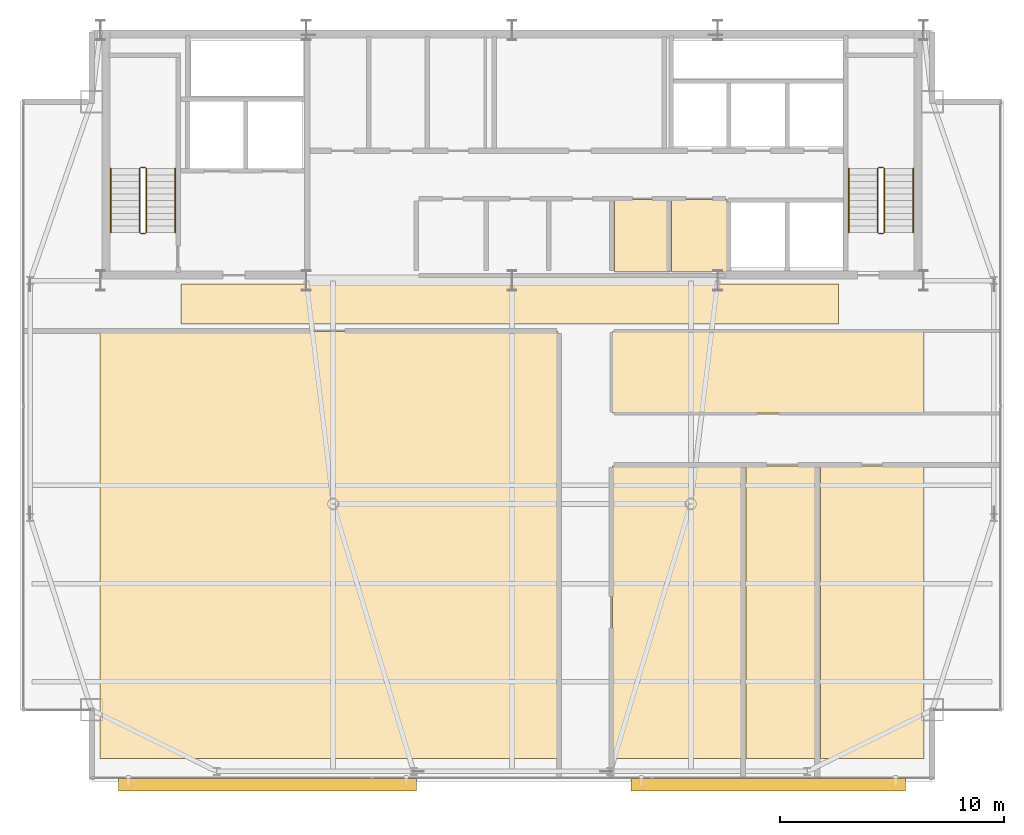
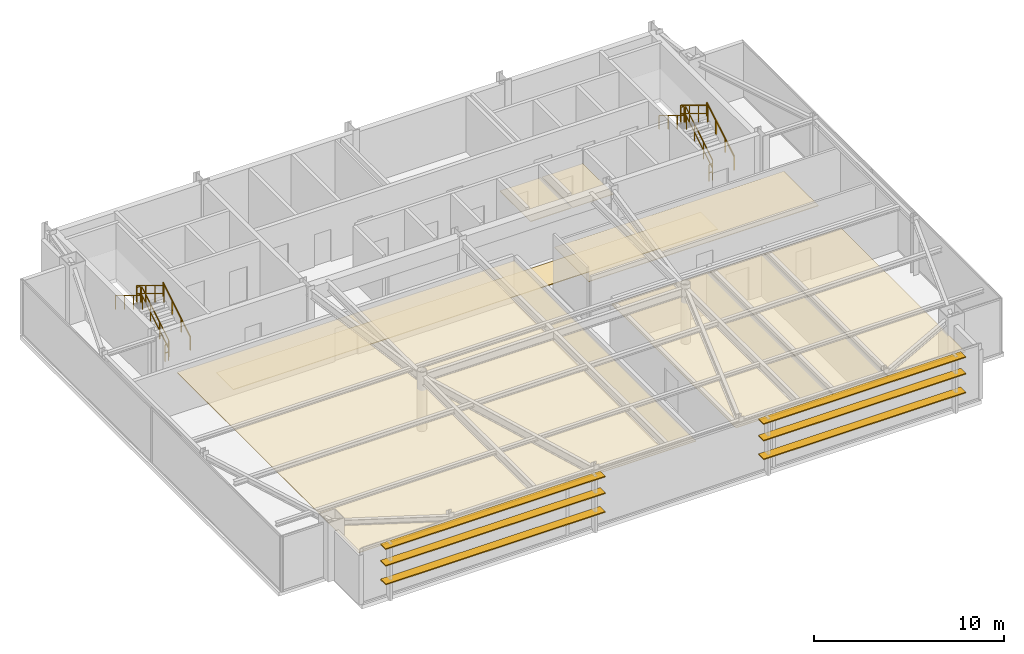
# One storey, part 24 of 24: 12 railings, 8 coverings, 6 shading devices.
"""IFC4 building model written with IfcOpenShell, lengths in metres."""

from ifc_helpers import new_model, si_unit, direction, frame, origin, origin_2d, place, context, subcontext, project, spatial, polyline, rectangle, outline, extrude, source, transform, mapped, material, layer, layer_set, type_object, type_shapes, element, save


model = new_model("IFC4")

# Units and contexts
model_context = context("Model", 3, precision=1e-05, world=origin(), true_north=direction((0.0, 1.0)))
body_context = subcontext(model_context, "Body", "Model", "MODEL_VIEW")
ifc_project = project(units=[si_unit("LENGTHUNIT", "METRE"), si_unit("AREAUNIT", "SQUARE_METRE"), si_unit("VOLUMEUNIT", "CUBIC_METRE"), si_unit("PLANEANGLEUNIT", "RADIAN"), si_unit("MASSUNIT", "GRAM", prefix="KILO")], contexts=[model_context])

# Site, building, storey
site_placement = place(None, origin())
site = spatial("IfcSite", under=ifc_project, at=site_placement, CompositionType="ELEMENT")
building_placement = place(site_placement, origin())
building = spatial("IfcBuilding", under=site, at=building_placement, Name="Varnel Quay Broadcast Tower", CompositionType="ELEMENT")
storey_placement = place(building_placement, frame((0.0, 0.0, 285.0)))
storey = spatial("IfcBuildingStorey", under=building, at=storey_placement, Name="L71", CompositionType="ELEMENT", Elevation=285.0)

# Coverings
ifc_material_1 = material(Name="Micro-Perforated Acoustic Ceiling Tile")
ifc_layer_1 = layer(ifc_material_1, 0.0400390625, Name="Micro-Perforated Acoustic Ceiling Tile")
ifc_layer_set_1 = layer_set([ifc_layer_1], Name="Micro-Perforated Acoustic Ceiling Tile")
covering_type_1 = type_object("IfcCoveringType", Name="Cov_AcousticCeiling", PredefinedType="CEILING", material=ifc_layer_set_1)
covering_1_placement = place(storey_placement, frame((0.0, 0.0, 2.580078125)))
element("IfcCovering", 1, at=covering_1_placement, inside=storey, type_object=covering_type_1, Name="L71 Cleaners' & Linen Store Acoustic Ceiling", PredefinedType="CEILING", context=body_context, shape_type="SweptSolid", body=[
    extrude(outline(polyline([(38.5849609375, 35.985107421875), (41.06494140625, 35.985107421875), (41.06494140625, 39.215087890625), (38.5849609375, 39.215087890625), (38.5849609375, 35.985107421875)])), origin(), (0.0, 0.0, 1.0), 0.0400390625),
])
covering_2_placement = place(storey_placement, frame((0.0, 0.0, 2.580078125)))
element("IfcCovering", 2, at=covering_2_placement, inside=storey, type_object=covering_type_1, Name="L71 Telecom IDF Closet Acoustic Ceiling", PredefinedType="CEILING", context=body_context, shape_type="SweptSolid", body=[
    extrude(outline(polyline([(41.135009765625, 35.985107421875), (43.614990234375, 35.985107421875), (43.614990234375, 39.215087890625), (41.135009765625, 39.215087890625), (41.135009765625, 35.985107421875)])), origin(), (0.0, 0.0, 1.0), 0.0400390625),
])
covering_3_placement = place(storey_placement, frame((0.0, 0.0, 2.580078125)))
element("IfcCovering", 3, at=covering_3_placement, inside=storey, type_object=covering_type_1, Name="L71 Podcast Recording Studio 1 Acoustic Ceiling", PredefinedType="CEILING", context=body_context, shape_type="SweptSolid", body=[
    extrude(outline(polyline([(15.5849609375, 14.22509765625), (36.06494140625, 14.22509765625), (36.06494140625, 33.31494140625), (15.5849609375, 33.31494140625), (15.5849609375, 14.22509765625)])), origin(), (0.0, 0.0, 1.0), 0.0400390625),
])
covering_4_placement = place(storey_placement, frame((0.0, 0.0, 2.580078125)))
element("IfcCovering", 4, at=covering_4_placement, inside=storey, type_object=covering_type_1, Name="L71 Foley Sound Studio 2 Acoustic Ceiling", PredefinedType="CEILING", context=body_context, shape_type="SweptSolid", body=[
    extrude(outline(polyline([(38.485107421875, 14.22509765625), (44.385009765625, 14.22509765625), (44.385009765625, 27.31494140625), (38.485107421875, 27.31494140625), (38.485107421875, 14.22509765625)])), origin(), (0.0, 0.0, 1.0), 0.0400390625),
])
covering_5_placement = place(storey_placement, frame((0.0, 0.0, 2.580078125)))
element("IfcCovering", 5, at=covering_5_placement, inside=storey, type_object=covering_type_1, Name="L71 Voice Booth 3 Acoustic Ceiling", PredefinedType="CEILING", context=body_context, shape_type="SweptSolid", body=[
    extrude(outline(polyline([(44.455078125, 14.22509765625), (47.715087890625, 14.22509765625), (47.715087890625, 27.31494140625), (44.455078125, 27.31494140625), (44.455078125, 14.22509765625)])), origin(), (0.0, 0.0, 1.0), 0.0400390625),
])
covering_6_placement = place(storey_placement, frame((0.0, 0.0, 2.580078125)))
element("IfcCovering", 6, at=covering_6_placement, inside=storey, type_object=covering_type_1, Name="L71 Audio Control Room 4 Acoustic Ceiling", PredefinedType="CEILING", context=body_context, shape_type="SweptSolid", body=[
    extrude(outline(polyline([(47.784912109375, 14.22509765625), (52.4150390625, 14.22509765625), (52.4150390625, 27.31494140625), (47.784912109375, 27.31494140625), (47.784912109375, 14.22509765625)])), origin(), (0.0, 0.0, 1.0), 0.0400390625),
])
covering_7_placement = place(storey_placement, frame((0.0, 0.0, 2.580078125)))
element("IfcCovering", 7, at=covering_7_placement, inside=storey, type_object=covering_type_1, Name="L71 Talent Lounge 5 Acoustic Ceiling", PredefinedType="CEILING", context=body_context, shape_type="SweptSolid", body=[
    extrude(outline(polyline([(38.485107421875, 29.68505859375), (52.4150390625, 29.68505859375), (52.4150390625, 33.31494140625), (38.485107421875, 33.31494140625), (38.485107421875, 29.68505859375)])), origin(), (0.0, 0.0, 1.0), 0.0400390625),
])
ifc_material_2 = material(Name="Polished Terrazzo & Broadcast Raised Flooring")
ifc_layer_2 = layer(ifc_material_2, 0.0400390625, Name="Polished Terrazzo & Broadcast Raised Flooring")
ifc_layer_set_2 = layer_set([ifc_layer_2], Name="Polished Terrazzo & Broadcast Raised Flooring")
covering_type_2 = type_object("IfcCoveringType", Name="Cov_TerrazzoFloor", PredefinedType="FLOORING", material=ifc_layer_set_2)
covering_8_placement = place(storey_placement, origin())
element("IfcCovering", 8, at=covering_8_placement, inside=storey, type_object=covering_type_2, Name="L71 Corridor Terrazzo Flooring", PredefinedType="FLOORING", context=body_context, shape_type="SweptSolid", body=[
    extrude(outline(polyline([(19.199951171875, 33.64990234375), (48.60009765625, 33.64990234375), (48.60009765625, 35.449951171875), (19.199951171875, 35.449951171875), (19.199951171875, 33.64990234375)])), origin(), (0.0, 0.0, 1.0), 0.0400390625),
])

# Railings
ifc_material_3 = material(Name="Painted Steel Guard and Handrail CSA G40.21 350W", Category="steel")
railing_type_1 = type_object("IfcRailingType", Name="Rail_StairGuard1100", PredefinedType="GUARDRAIL", material=ifc_material_3)
railing_1_placement = place(storey_placement, frame((17.64990234375, 37.75, 0.172607421875)))
element("IfcRailing", 9, at=railing_1_placement, inside=storey, type_object=railing_type_1, Name="L71 ST-01 stair guard 1", PredefinedType="GUARDRAIL", context=body_context, shape_type="SweptSolid", body=[
    extrude(rectangle(XDim=0.048095703125, YDim=0.048095703125, at=origin_2d()), frame((0.0, 0.0, 1.076171875), z_axis=(0.0, 0.855202751398, 0.518293598264), x_axis=(-1.0, 0.0, 0.0)), (0.0, 0.0, 1.0), 3.332763671875),
    extrude(rectangle(XDim=0.048095703125, YDim=0.048095703125, at=origin_2d()), frame((0.0, 0.0, 0.550048828125), z_axis=(0.0, 0.855202751398, 0.518293598264), x_axis=(-1.0, 0.0, 0.0)), (0.0, 0.0, 1.0), 3.332763671875),
    extrude(rectangle(XDim=0.0419921875, YDim=0.0419921875, at=origin_2d()), origin(), (0.0, 0.0, 1.0), 1.052001953125),
    extrude(rectangle(XDim=0.0419921875, YDim=0.0419921875, at=origin_2d()), frame((0.0, 0.949951171875, 0.57568359375)), (0.0, 0.0, 1.0), 1.052001953125),
    extrude(rectangle(XDim=0.0419921875, YDim=0.0419921875, at=origin_2d()), frame((0.0, 1.900146484375, 1.151611328125)), (0.0, 0.0, 1.0), 1.052001953125),
    extrude(rectangle(XDim=0.0419921875, YDim=0.0419921875, at=origin_2d()), frame((0.0, 2.85009765625, 1.727294921875)), (0.0, 0.0, 1.0), 1.052001953125),
])
railing_2_placement = place(storey_placement, frame((17.60009765625, 40.64990234375, 1.89990234375)))
element("IfcRailing", 10, at=railing_2_placement, inside=storey, type_object=railing_type_1, Name="L71 ST-01 stair guard 2", PredefinedType="GUARDRAIL", context=body_context, shape_type="SweptSolid", body=[
    extrude(rectangle(XDim=0.048095703125, YDim=0.048095703125, at=origin_2d()), frame((0.0, 0.0, 1.076171875), z_axis=(-1.0, 0.0, 0.0), x_axis=(0.0, -1.0, 0.0)), (0.0, 0.0, 1.0), 0.2001953125),
    extrude(rectangle(XDim=0.048095703125, YDim=0.048095703125, at=origin_2d()), frame((0.0, 0.0, 0.550048828125), z_axis=(-1.0, 0.0, 0.0), x_axis=(0.0, -1.0, 0.0)), (0.0, 0.0, 1.0), 0.2001953125),
    extrude(rectangle(XDim=0.0419921875, YDim=0.0419921875, at=origin_2d()), origin(), (0.0, 0.0, 1.0), 1.052001953125),
    extrude(rectangle(XDim=0.0419921875, YDim=0.0419921875, at=origin_2d()), frame((-0.2001953125, 0.0, 0.0)), (0.0, 0.0, 1.0), 1.052001953125),
])
railing_3_placement = place(storey_placement, frame((17.35009765625, 40.60009765625, 2.07275390625)))
element("IfcRailing", 11, at=railing_3_placement, inside=storey, type_object=railing_type_1, Name="L71 ST-01 stair guard 3", PredefinedType="GUARDRAIL", context=body_context, shape_type="SweptSolid", body=[
    extrude(rectangle(XDim=0.048095703125, YDim=0.048095703125, at=origin_2d()), frame((0.0, 0.0, 1.076171875), z_axis=(0.0, -0.855202751398, 0.518293598264), x_axis=(1.0, 0.0, 0.0)), (0.0, 0.0, 1.0), 3.332763671875),
    extrude(rectangle(XDim=0.048095703125, YDim=0.048095703125, at=origin_2d()), frame((0.0, 0.0, 0.550048828125), z_axis=(0.0, -0.855202751398, 0.518293598264), x_axis=(1.0, 0.0, 0.0)), (0.0, 0.0, 1.0), 3.332763671875),
    extrude(rectangle(XDim=0.0419921875, YDim=0.0419921875, at=origin_2d()), origin(), (0.0, 0.0, 1.0), 1.052001953125),
    extrude(rectangle(XDim=0.0419921875, YDim=0.0419921875, at=origin_2d()), frame((0.0, -0.949951171875, 0.57568359375)), (0.0, 0.0, 1.0), 1.052001953125),
    extrude(rectangle(XDim=0.0419921875, YDim=0.0419921875, at=origin_2d()), frame((0.0, -1.900146484375, 1.151611328125)), (0.0, 0.0, 1.0), 1.052001953125),
    extrude(rectangle(XDim=0.0419921875, YDim=0.0419921875, at=origin_2d()), frame((0.0, -2.85009765625, 1.727294921875)), (0.0, 0.0, 1.0), 1.052001953125),
])
railing_4_placement = place(storey_placement, frame((17.60009765625, 37.699951171875, 0.0)))
element("IfcRailing", 12, at=railing_4_placement, inside=storey, type_object=railing_type_1, Name="L71 ST-01 stair guard 4", PredefinedType="GUARDRAIL", context=body_context, shape_type="SweptSolid", body=[
    extrude(rectangle(XDim=0.048095703125, YDim=0.048095703125, at=origin_2d()), frame((0.0, 0.0, 1.076171875), z_axis=(-1.0, 0.0, 0.0), x_axis=(0.0, -1.0, 0.0)), (0.0, 0.0, 1.0), 0.2001953125),
    extrude(rectangle(XDim=0.048095703125, YDim=0.048095703125, at=origin_2d()), frame((0.0, 0.0, 0.550048828125), z_axis=(-1.0, 0.0, 0.0), x_axis=(0.0, -1.0, 0.0)), (0.0, 0.0, 1.0), 0.2001953125),
    extrude(rectangle(XDim=0.0419921875, YDim=0.0419921875, at=origin_2d()), origin(), (0.0, 0.0, 1.0), 1.052001953125),
    extrude(rectangle(XDim=0.0419921875, YDim=0.0419921875, at=origin_2d()), frame((-0.2001953125, 0.0, 0.0)), (0.0, 0.0, 1.0), 1.052001953125),
])
railing_5_placement = place(storey_placement, frame((50.64990234375, 37.75, 0.172607421875)))
element("IfcRailing", 13, at=railing_5_placement, inside=storey, type_object=railing_type_1, Name="L71 ST-02 stair guard 1", PredefinedType="GUARDRAIL", context=body_context, shape_type="SweptSolid", body=[
    extrude(rectangle(XDim=0.048095703125, YDim=0.048095703125, at=origin_2d()), frame((0.0, 0.0, 1.076171875), z_axis=(0.0, 0.855202751398, 0.518293598264), x_axis=(-1.0, 0.0, 0.0)), (0.0, 0.0, 1.0), 3.332763671875),
    extrude(rectangle(XDim=0.048095703125, YDim=0.048095703125, at=origin_2d()), frame((0.0, 0.0, 0.550048828125), z_axis=(0.0, 0.855202751398, 0.518293598264), x_axis=(-1.0, 0.0, 0.0)), (0.0, 0.0, 1.0), 3.332763671875),
    extrude(rectangle(XDim=0.0419921875, YDim=0.0419921875, at=origin_2d()), origin(), (0.0, 0.0, 1.0), 1.052001953125),
    extrude(rectangle(XDim=0.0419921875, YDim=0.0419921875, at=origin_2d()), frame((0.0, 0.949951171875, 0.57568359375)), (0.0, 0.0, 1.0), 1.052001953125),
    extrude(rectangle(XDim=0.0419921875, YDim=0.0419921875, at=origin_2d()), frame((0.0, 1.900146484375, 1.151611328125)), (0.0, 0.0, 1.0), 1.052001953125),
    extrude(rectangle(XDim=0.0419921875, YDim=0.0419921875, at=origin_2d()), frame((0.0, 2.85009765625, 1.727294921875)), (0.0, 0.0, 1.0), 1.052001953125),
])
railing_6_placement = place(storey_placement, frame((50.60009765625, 40.64990234375, 1.89990234375)))
element("IfcRailing", 14, at=railing_6_placement, inside=storey, type_object=railing_type_1, Name="L71 ST-02 stair guard 2", PredefinedType="GUARDRAIL", context=body_context, shape_type="SweptSolid", body=[
    extrude(rectangle(XDim=0.048095703125, YDim=0.048095703125, at=origin_2d()), frame((0.0, 0.0, 1.076171875), z_axis=(-1.0, 0.0, 0.0), x_axis=(0.0, -1.0, 0.0)), (0.0, 0.0, 1.0), 0.2001953125),
    extrude(rectangle(XDim=0.048095703125, YDim=0.048095703125, at=origin_2d()), frame((0.0, 0.0, 0.550048828125), z_axis=(-1.0, 0.0, 0.0), x_axis=(0.0, -1.0, 0.0)), (0.0, 0.0, 1.0), 0.2001953125),
    extrude(rectangle(XDim=0.0419921875, YDim=0.0419921875, at=origin_2d()), origin(), (0.0, 0.0, 1.0), 1.052001953125),
    extrude(rectangle(XDim=0.0419921875, YDim=0.0419921875, at=origin_2d()), frame((-0.2001953125, 0.0, 0.0)), (0.0, 0.0, 1.0), 1.052001953125),
])
railing_7_placement = place(storey_placement, frame((50.35009765625, 40.60009765625, 2.07275390625)))
element("IfcRailing", 15, at=railing_7_placement, inside=storey, type_object=railing_type_1, Name="L71 ST-02 stair guard 3", PredefinedType="GUARDRAIL", context=body_context, shape_type="SweptSolid", body=[
    extrude(rectangle(XDim=0.048095703125, YDim=0.048095703125, at=origin_2d()), frame((0.0, 0.0, 1.076171875), z_axis=(0.0, -0.855202751398, 0.518293598264), x_axis=(1.0, 0.0, 0.0)), (0.0, 0.0, 1.0), 3.332763671875),
    extrude(rectangle(XDim=0.048095703125, YDim=0.048095703125, at=origin_2d()), frame((0.0, 0.0, 0.550048828125), z_axis=(0.0, -0.855202751398, 0.518293598264), x_axis=(1.0, 0.0, 0.0)), (0.0, 0.0, 1.0), 3.332763671875),
    extrude(rectangle(XDim=0.0419921875, YDim=0.0419921875, at=origin_2d()), origin(), (0.0, 0.0, 1.0), 1.052001953125),
    extrude(rectangle(XDim=0.0419921875, YDim=0.0419921875, at=origin_2d()), frame((0.0, -0.949951171875, 0.57568359375)), (0.0, 0.0, 1.0), 1.052001953125),
    extrude(rectangle(XDim=0.0419921875, YDim=0.0419921875, at=origin_2d()), frame((0.0, -1.900146484375, 1.151611328125)), (0.0, 0.0, 1.0), 1.052001953125),
    extrude(rectangle(XDim=0.0419921875, YDim=0.0419921875, at=origin_2d()), frame((0.0, -2.85009765625, 1.727294921875)), (0.0, 0.0, 1.0), 1.052001953125),
])
railing_8_placement = place(storey_placement, frame((50.60009765625, 37.699951171875, 0.0)))
element("IfcRailing", 16, at=railing_8_placement, inside=storey, type_object=railing_type_1, Name="L71 ST-02 stair guard 4", PredefinedType="GUARDRAIL", context=body_context, shape_type="SweptSolid", body=[
    extrude(rectangle(XDim=0.048095703125, YDim=0.048095703125, at=origin_2d()), frame((0.0, 0.0, 1.076171875), z_axis=(-1.0, 0.0, 0.0), x_axis=(0.0, -1.0, 0.0)), (0.0, 0.0, 1.0), 0.2001953125),
    extrude(rectangle(XDim=0.048095703125, YDim=0.048095703125, at=origin_2d()), frame((0.0, 0.0, 0.550048828125), z_axis=(-1.0, 0.0, 0.0), x_axis=(0.0, -1.0, 0.0)), (0.0, 0.0, 1.0), 0.2001953125),
    extrude(rectangle(XDim=0.0419921875, YDim=0.0419921875, at=origin_2d()), origin(), (0.0, 0.0, 1.0), 1.052001953125),
    extrude(rectangle(XDim=0.0419921875, YDim=0.0419921875, at=origin_2d()), frame((-0.2001953125, 0.0, 0.0)), (0.0, 0.0, 1.0), 1.052001953125),
])
railing_type_2 = type_object("IfcRailingType", Name="Rail_StairHandrail900", PredefinedType="HANDRAIL", material=ifc_material_3)
railing_9_placement = place(storey_placement, frame((18.949951171875, 37.75, 0.172607421875)))
element("IfcRailing", 17, at=railing_9_placement, inside=storey, type_object=railing_type_2, Name="L71 ST-01 stair handrail 1", PredefinedType="HANDRAIL", context=body_context, shape_type="SweptSolid", body=[
    extrude(rectangle(XDim=0.048095703125, YDim=0.048095703125, at=origin_2d()), frame((0.0, 0.0, 0.8759765625), z_axis=(0.0, 0.855202751398, 0.518293598264), x_axis=(-1.0, 0.0, 0.0)), (0.0, 0.0, 1.0), 3.332763671875),
    extrude(rectangle(XDim=0.0419921875, YDim=0.0419921875, at=origin_2d()), origin(), (0.0, 0.0, 1.0), 0.851806640625),
    extrude(rectangle(XDim=0.0419921875, YDim=0.0419921875, at=origin_2d()), frame((0.0, 0.949951171875, 0.57568359375)), (0.0, 0.0, 1.0), 0.851806640625),
    extrude(rectangle(XDim=0.0419921875, YDim=0.0419921875, at=origin_2d()), frame((0.0, 1.900146484375, 1.151611328125)), (0.0, 0.0, 1.0), 0.851806640625),
    extrude(rectangle(XDim=0.0419921875, YDim=0.0419921875, at=origin_2d()), frame((0.0, 2.85009765625, 1.727294921875)), (0.0, 0.0, 1.0), 0.851806640625),
])
railing_10_placement = place(storey_placement, frame((16.050048828125, 40.60009765625, 2.07275390625)))
element("IfcRailing", 18, at=railing_10_placement, inside=storey, type_object=railing_type_2, Name="L71 ST-01 stair handrail 2", PredefinedType="HANDRAIL", context=body_context, shape_type="SweptSolid", body=[
    extrude(rectangle(XDim=0.048095703125, YDim=0.048095703125, at=origin_2d()), frame((0.0, 0.0, 0.8759765625), z_axis=(0.0, -0.855202751398, 0.518293598264), x_axis=(1.0, 0.0, 0.0)), (0.0, 0.0, 1.0), 3.332763671875),
    extrude(rectangle(XDim=0.0419921875, YDim=0.0419921875, at=origin_2d()), origin(), (0.0, 0.0, 1.0), 0.851806640625),
    extrude(rectangle(XDim=0.0419921875, YDim=0.0419921875, at=origin_2d()), frame((0.0, -0.949951171875, 0.57568359375)), (0.0, 0.0, 1.0), 0.851806640625),
    extrude(rectangle(XDim=0.0419921875, YDim=0.0419921875, at=origin_2d()), frame((0.0, -1.900146484375, 1.151611328125)), (0.0, 0.0, 1.0), 0.851806640625),
    extrude(rectangle(XDim=0.0419921875, YDim=0.0419921875, at=origin_2d()), frame((0.0, -2.85009765625, 1.727294921875)), (0.0, 0.0, 1.0), 0.851806640625),
])
railing_11_placement = place(storey_placement, frame((51.949951171875, 37.75, 0.172607421875)))
element("IfcRailing", 19, at=railing_11_placement, inside=storey, type_object=railing_type_2, Name="L71 ST-02 stair handrail 1", PredefinedType="HANDRAIL", context=body_context, shape_type="SweptSolid", body=[
    extrude(rectangle(XDim=0.048095703125, YDim=0.048095703125, at=origin_2d()), frame((0.0, 0.0, 0.8759765625), z_axis=(0.0, 0.855202751398, 0.518293598264), x_axis=(-1.0, 0.0, 0.0)), (0.0, 0.0, 1.0), 3.332763671875),
    extrude(rectangle(XDim=0.0419921875, YDim=0.0419921875, at=origin_2d()), origin(), (0.0, 0.0, 1.0), 0.851806640625),
    extrude(rectangle(XDim=0.0419921875, YDim=0.0419921875, at=origin_2d()), frame((0.0, 0.949951171875, 0.57568359375)), (0.0, 0.0, 1.0), 0.851806640625),
    extrude(rectangle(XDim=0.0419921875, YDim=0.0419921875, at=origin_2d()), frame((0.0, 1.900146484375, 1.151611328125)), (0.0, 0.0, 1.0), 0.851806640625),
    extrude(rectangle(XDim=0.0419921875, YDim=0.0419921875, at=origin_2d()), frame((0.0, 2.85009765625, 1.727294921875)), (0.0, 0.0, 1.0), 0.851806640625),
])
railing_12_placement = place(storey_placement, frame((49.050048828125, 40.60009765625, 2.07275390625)))
element("IfcRailing", 20, at=railing_12_placement, inside=storey, type_object=railing_type_2, Name="L71 ST-02 stair handrail 2", PredefinedType="HANDRAIL", context=body_context, shape_type="SweptSolid", body=[
    extrude(rectangle(XDim=0.048095703125, YDim=0.048095703125, at=origin_2d()), frame((0.0, 0.0, 0.8759765625), z_axis=(0.0, -0.855202751398, 0.518293598264), x_axis=(1.0, 0.0, 0.0)), (0.0, 0.0, 1.0), 3.332763671875),
    extrude(rectangle(XDim=0.0419921875, YDim=0.0419921875, at=origin_2d()), origin(), (0.0, 0.0, 1.0), 0.851806640625),
    extrude(rectangle(XDim=0.0419921875, YDim=0.0419921875, at=origin_2d()), frame((0.0, -0.949951171875, 0.57568359375)), (0.0, 0.0, 1.0), 0.851806640625),
    extrude(rectangle(XDim=0.0419921875, YDim=0.0419921875, at=origin_2d()), frame((0.0, -1.900146484375, 1.151611328125)), (0.0, 0.0, 1.0), 0.851806640625),
    extrude(rectangle(XDim=0.0419921875, YDim=0.0419921875, at=origin_2d()), frame((0.0, -2.85009765625, 1.727294921875)), (0.0, 0.0, 1.0), 0.851806640625),
])

# Shading devices
ifc_material_4 = material(Name="Bronze-Terracotta Extruded Ceramic Blade", Category="masonry")
ifc_layer_3 = layer(ifc_material_4, 0.06494140625, Name="Bronze-Terracotta Extruded Ceramic Blade")
ifc_layer_set_3 = layer_set([ifc_layer_3], Name="Bronze-Terracotta Extruded Ceramic Blade")
shading_device_type = type_object("IfcShadingDeviceType", Name="Shade_LouvreBlade550", PredefinedType="JALOUSIE", material=ifc_layer_set_3)
shared_shape_1 = source(origin(), body_context, "Body", "SweptSolid", [
    extrude(rectangle(XDim=13.3291015625, YDim=0.550048828125, at=origin_2d()), origin(), (0.0, 0.0, 1.0), 0.06494140625),
])
for number, where, z_axis, x_axis, name in (
    (21, (23.06396484375, 13.06005859375, 1.117431640625), (0.0, 0.0, 1.0), (1.0, 0.0, 0.0), "L71 Lobe 1 Horizontal Louvre Blade 1"),
    (22, (23.06396484375, 13.06005859375, 2.317626953125), (0.0, 0.0, 1.0), (1.0, 0.0, 0.0), "L71 Lobe 1 Horizontal Louvre Blade 2"),
    (23, (23.06396484375, 13.06005859375, 3.387451171875), (0.0, 0.0, 1.0), (1.0, 0.0, 0.0), "L71 Lobe 1 Horizontal Louvre Blade 3"),
):
    element("IfcShadingDevice", number, at=place(storey_placement, frame(where, z_axis=z_axis, x_axis=x_axis)), inside=storey, type_object=shading_device_type, Name=name, PredefinedType="JALOUSIE", context=body_context, shape_type="MappedRepresentation", body=[
        mapped(shared_shape_1, transform((0.0, 0.0, 0.0), x_axis=(1.0, 0.0, 0.0), y_axis=(0.0, 1.0, 0.0), z_axis=(0.0, 0.0, 1.0), scale=1.0)),
    ])
shared_shape_2 = source(origin(), body_context, "Body", "SweptSolid", [
    extrude(rectangle(XDim=12.27099609375, YDim=0.550048828125, at=origin_2d()), origin(), (0.0, 0.0, 1.0), 0.06494140625),
])
type_shapes(shading_device_type, [shared_shape_1, shared_shape_2])
for number, where, z_axis, x_axis, name in (
    (24, (45.465087890625, 13.06005859375, 1.117431640625), (0.0, 0.0, 1.0), (1.0, 0.0, 0.0), "L71 Lobe 2 Horizontal Louvre Blade 1"),
    (25, (45.465087890625, 13.06005859375, 2.317626953125), (0.0, 0.0, 1.0), (1.0, 0.0, 0.0), "L71 Lobe 2 Horizontal Louvre Blade 2"),
    (26, (45.465087890625, 13.06005859375, 3.387451171875), (0.0, 0.0, 1.0), (1.0, 0.0, 0.0), "L71 Lobe 2 Horizontal Louvre Blade 3"),
):
    element("IfcShadingDevice", number, at=place(storey_placement, frame(where, z_axis=z_axis, x_axis=x_axis)), inside=storey, type_object=shading_device_type, Name=name, PredefinedType="JALOUSIE", context=body_context, shape_type="MappedRepresentation", body=[
        mapped(shared_shape_2, transform((0.0, 0.0, 0.0), x_axis=(1.0, 0.0, 0.0), y_axis=(0.0, 1.0, 0.0), z_axis=(0.0, 0.0, 1.0), scale=1.0)),
    ])

save(model, "model.ifc")
